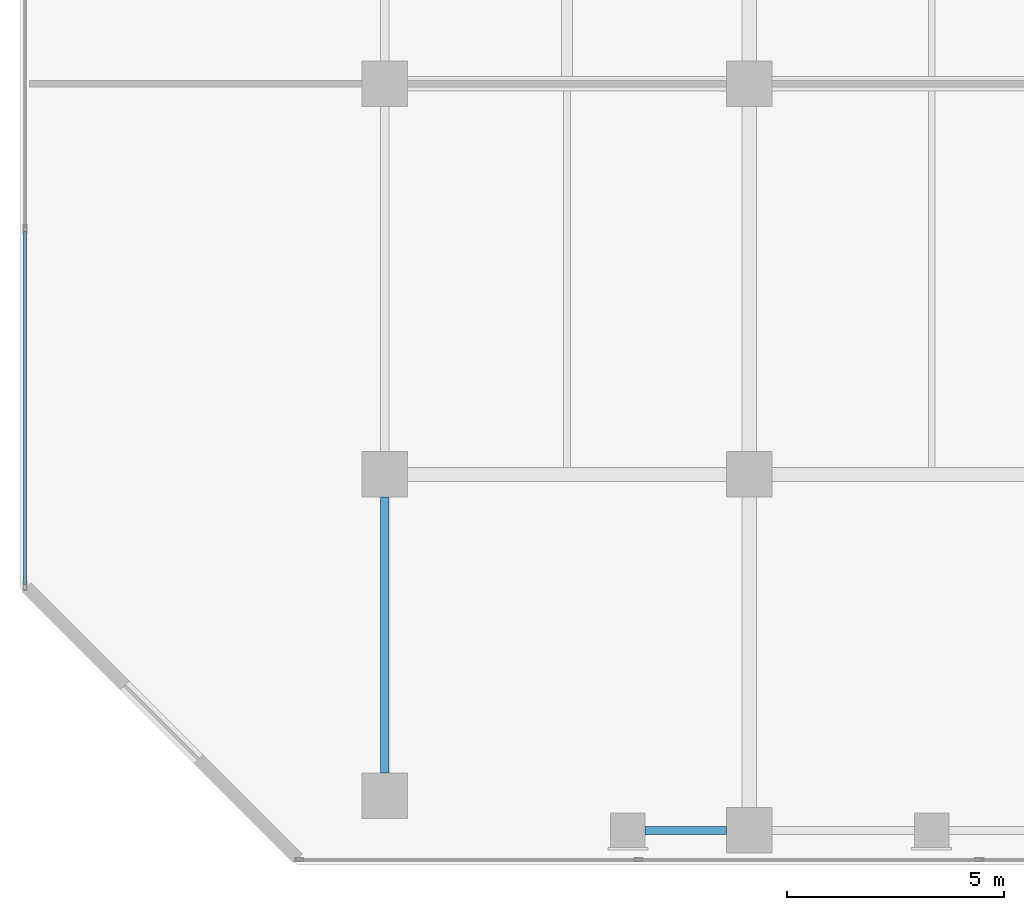
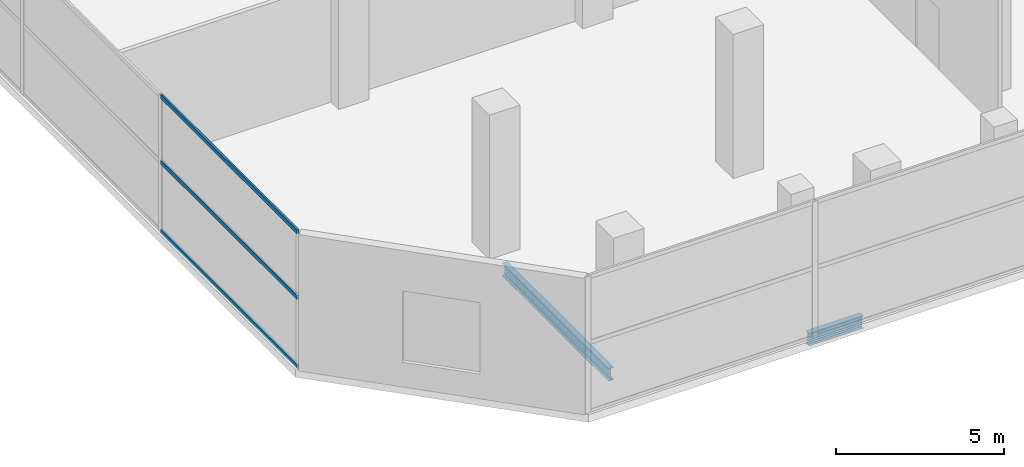
# One storey, part 3 of 40: 3 members, 2 beams, 1 element without a shape of its own.
"""IFC4 building model written with IfcOpenShell, lengths in metres."""

from ifc_helpers import new_model, si_unit, direction, frame, origin, origin_2d, place, context, subcontext, project, spatial, hollow_rectangle, i_section, extrude, material, layer, layer_set, material_profile, profile_set, type_object, element, aggregate, save


model = new_model("IFC4")

# Units and contexts
model_context = context("Model", 3, precision=1e-05, world=origin(), true_north=direction((0.0, 1.0)))
body_context = subcontext(model_context, "Body", "Model", "MODEL_VIEW")
ifc_project = project(units=[si_unit("LENGTHUNIT", "METRE"), si_unit("AREAUNIT", "SQUARE_METRE"), si_unit("VOLUMEUNIT", "CUBIC_METRE"), si_unit("PLANEANGLEUNIT", "RADIAN"), si_unit("MASSUNIT", "GRAM", prefix="KILO")], contexts=[model_context])

# Site, building, storey
site_placement = place(None, origin())
site = spatial("IfcSite", under=ifc_project, at=site_placement, CompositionType="ELEMENT")
building_placement = place(site_placement, origin())
building = spatial("IfcBuilding", under=site, at=building_placement, Name="Maruvema Waterfront Hotel and Observation Tower", CompositionType="ELEMENT")
storey_placement = place(building_placement, frame((0.0, 0.0, 5.60009765625)))
storey = spatial("IfcBuildingStorey", under=building, at=storey_placement, Name="L01", CompositionType="ELEMENT", Elevation=5.60009765625)

# Curtain wall, members
ifc_material_1 = material(Name="Anodised bronze aluminium and solar-control low-E IGU", Category="aluminium")
ifc_layer = layer(ifc_material_1, 0.159912109375, Name="Podium Waterfront Storefront Curtain Wall System CW-01")
ifc_layer_set = layer_set([ifc_layer], Name="Anodised bronze aluminium and solar-control low-E IGU")
curtain_wall_type = type_object("IfcCurtainWallType", Name="Podium Waterfront Storefront Curtain Wall System CW-01", PredefinedType="USERDEFINED", material=ifc_layer_set)
curtain_wall_placement = place(storey_placement, origin())
curtain_wall = element("IfcCurtainWall", 1, at=curtain_wall_placement, inside=storey, type_object=curtain_wall_type, Name="L01 Curtain Wall CW-L01-W", ObjectType="UNITISED CURTAIN WALL", PredefinedType="USERDEFINED")
ifc_material_2 = material(Name="Anodised architectural bronze aluminium", Category="aluminium")
ifc_material_profile_1 = material_profile(ifc_material_2, hollow_rectangle(XDim=0.070068359375, YDim=0.14990234375, WallThickness=0.00390625, at=origin_2d()), Name="ALU-T70x150")
ifc_profile_set_1 = profile_set([ifc_material_profile_1], Name="Anodised architectural bronze aluminium")
member_type = type_object("IfcMemberType", Name="Curtain Wall Horizontal Transom ALU-T70x150", PredefinedType="USERDEFINED", material=ifc_profile_set_1)
member_1_placement = place(storey_placement, frame((0.1201171875, 14.610107421875, 0.02978515625), z_axis=(0.0, -1.0, 0.0), x_axis=(1.0, 0.0, 0.0)))
member_1 = element("IfcMember", 2, at=member_1_placement, type_object=member_type, Name="CW-01 transom 5.1", ObjectType="TRANSOM", PredefinedType="USERDEFINED", context=body_context, shape_type="SweptSolid", body=[
    extrude(hollow_rectangle(XDim=0.070068359375, YDim=0.14990234375, WallThickness=0.00390625, at=origin_2d()), origin(), (0.0, 0.0, 1.0), 8.150146484375),
])
member_2_placement = place(storey_placement, frame((0.1201171875, 14.610107421875, 2.5498046875), z_axis=(0.0, -1.0, 0.0), x_axis=(1.0, 0.0, 0.0)))
member_2 = element("IfcMember", 3, at=member_2_placement, type_object=member_type, Name="CW-01 transom 5.2", ObjectType="TRANSOM", PredefinedType="USERDEFINED", context=body_context, shape_type="SweptSolid", body=[
    extrude(hollow_rectangle(XDim=0.070068359375, YDim=0.14990234375, WallThickness=0.00390625, at=origin_2d()), origin(), (0.0, 0.0, 1.0), 8.150146484375),
])
member_3_placement = place(storey_placement, frame((0.1201171875, 14.610107421875, 4.93994140625), z_axis=(0.0, -1.0, 0.0), x_axis=(1.0, 0.0, 0.0)))
member_3 = element("IfcMember", 4, at=member_3_placement, type_object=member_type, Name="CW-01 transom 5.3", ObjectType="TRANSOM", PredefinedType="USERDEFINED", context=body_context, shape_type="SweptSolid", body=[
    extrude(hollow_rectangle(XDim=0.070068359375, YDim=0.14990234375, WallThickness=0.00390625, at=origin_2d()), origin(), (0.0, 0.0, 1.0), 8.150146484375),
])
aggregate(curtain_wall, [member_1, member_2, member_3])

# Beams
ifc_material_3 = material(Name="Steel ASTM A572 Grade 50", Category="steel")
ifc_material_profile_2 = material_profile(ifc_material_3, i_section(OverallWidth=0.18994140625, OverallDepth=0.45703125, WebThickness=0.009033203125, FlangeThickness=0.014404296875, FilletRadius=0.014892578125, at=origin_2d()), Name="W460x74.0")
ifc_profile_set_2 = profile_set([ifc_material_profile_2], Name="Steel ASTM A572 Grade 50")
beam_type = type_object("IfcBeamType", Name="Perimeter Spandrel Beam W460x74.0", PredefinedType="SPANDREL", material=ifc_profile_set_2)
beam_1_placement = place(storey_placement, frame((14.39990234375, 0.800048828125, -0.508544921875), z_axis=(1.0, 0.0, 0.0), x_axis=(0.0, 1.0, 0.0)))
element("IfcBeam", 5, at=beam_1_placement, inside=storey, type_object=beam_type, Name="L01 Floor Girder EW-01", PredefinedType="SPANDREL", context=body_context, shape_type="SweptSolid", body=[
    extrude(i_section(OverallWidth=0.18994140625, OverallDepth=0.45703125, WebThickness=0.009033203125, FlangeThickness=0.014404296875, FilletRadius=0.014892578125, at=origin_2d()), origin(), (0.0, 0.0, 1.0), 1.875),
])
beam_2_placement = place(storey_placement, frame((8.39990234375, 2.125, -0.508544921875), z_axis=(0.0, 1.0, 0.0), x_axis=(-1.0, 0.0, 0.0)))
element("IfcBeam", 6, at=beam_2_placement, inside=storey, type_object=beam_type, Name="L01 Floor Girder NS-01", PredefinedType="SPANDREL", context=body_context, shape_type="SweptSolid", body=[
    extrude(i_section(OverallWidth=0.18994140625, OverallDepth=0.45703125, WebThickness=0.009033203125, FlangeThickness=0.014404296875, FilletRadius=0.014892578125, at=origin_2d()), origin(), (0.0, 0.0, 1.0), 6.35009765625),
])

save(model, "model.ifc")
